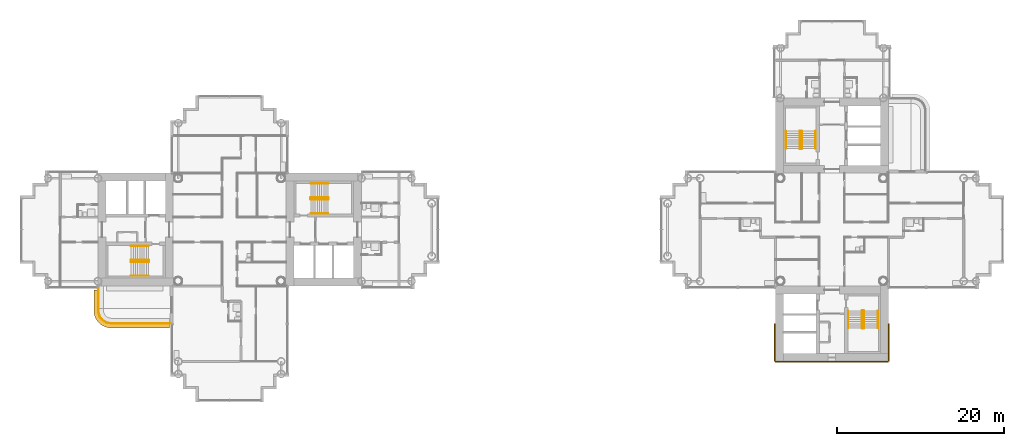
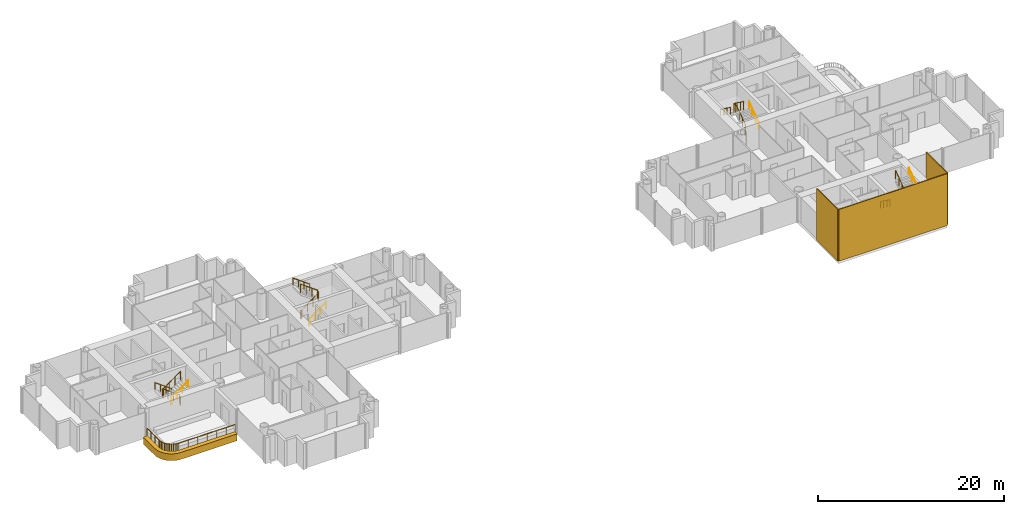
# One storey, part 19 of 21: 13 railings, 4 coverings.
"""IFC4 building model written with IfcOpenShell, lengths in metres."""

from ifc_helpers import new_model, si_unit, direction, frame, origin, origin_2d, place, context, subcontext, project, spatial, polyline, rectangle, circle, outline, extrude, material, layer, layer_set, type_object, element, save


model = new_model("IFC4")

# Units and contexts
model_context = context("Model", 3, precision=1e-05, world=origin(), true_north=direction((0.0, 1.0)))
body_context = subcontext(model_context, "Body", "Model", "MODEL_VIEW")
ifc_project = project(units=[si_unit("LENGTHUNIT", "METRE"), si_unit("AREAUNIT", "SQUARE_METRE"), si_unit("VOLUMEUNIT", "CUBIC_METRE"), si_unit("PLANEANGLEUNIT", "RADIAN"), si_unit("MASSUNIT", "GRAM", prefix="KILO")], contexts=[model_context])

# Site, building, storey
site_placement = place(None, origin())
site = spatial("IfcSite", under=ifc_project, at=site_placement, CompositionType="ELEMENT")
building_placement = place(site_placement, origin())
building = spatial("IfcBuilding", under=site, at=building_placement, Name="Ipe Terrace Towers", CompositionType="ELEMENT")
storey_placement = place(building_placement, frame((0.0, 0.0, 97.0)))
storey = spatial("IfcBuildingStorey", under=building, at=storey_placement, Name="L26", CompositionType="ELEMENT", Elevation=97.0)

# Railing
ifc_material_1 = material(Name="Stainless steel S316", Category="steel")
railing_type_1 = type_object("IfcRailingType", Name="GUARD 1100", PredefinedType="BALUSTRADE", material=ifc_material_1)
railing_1_placement = place(storey_placement, frame((-51.699951171875, -7.070068359375, -0.02001953125)))
element("IfcRailing", 1, at=railing_1_placement, inside=storey, type_object=railing_type_1, Name="guard", PredefinedType="BALUSTRADE", context=body_context, shape_type="SweptSolid", body=[
    extrude(circle(Radius=0.02392578125, at=origin_2d()), frame((0.0, 0.0, 1.076171875), z_axis=(0.0, -1.0, 0.0), x_axis=(1.0, 0.0, 0.0)), (0.0, 0.0, 1.0), 2.577880859375),
    extrude(circle(Radius=0.02392578125, at=origin_2d()), frame((0.0, -2.577880859375, 1.076171875), z_axis=(0.063270109204, -0.997996439513, 0.0), x_axis=(0.997996439513, 0.063270109204, 0.0)), (0.0, 0.0, 1.0), 0.20458984375),
    extrude(circle(Radius=0.02392578125, at=origin_2d()), frame((0.012939453125, -2.781982421875, 1.076171875), z_axis=(0.197272615832, -0.980348670139, 0.0), x_axis=(0.980348670139, 0.197272615832, 0.0)), (0.0, 0.0, 1.0), 0.202880859375),
    extrude(circle(Radius=0.02392578125, at=origin_2d()), frame((0.052978515625, -2.98095703125, 1.076171875), z_axis=(0.320562904618, -0.947227229435, 0.0), x_axis=(0.947227229435, 0.320562904618, 0.0)), (0.0, 0.0, 1.0), 0.20263671875),
    extrude(circle(Radius=0.02392578125, at=origin_2d()), frame((0.117919921875, -3.1728515625, 1.076171875), z_axis=(0.443364567466, -0.896341374877, 0.0), x_axis=(0.896341374877, 0.443364567466, 0.0)), (0.0, 0.0, 1.0), 0.203125),
    extrude(circle(Radius=0.02392578125, at=origin_2d()), frame((0.2080078125, -3.35498046875, 1.076171875), z_axis=(0.552753344103, -0.833344910936, 0.0), x_axis=(0.833344910936, 0.552753344103, 0.0)), (0.0, 0.0, 1.0), 0.20263671875),
    extrude(circle(Radius=0.02392578125, at=origin_2d()), frame((0.320068359375, -3.52392578125, 1.076171875), z_axis=(0.660464863827, -0.750856952854, 0.0), x_axis=(0.750856952854, 0.660464863827, 0.0)), (0.0, 0.0, 1.0), 0.20263671875),
    extrude(circle(Radius=0.02392578125, at=origin_2d()), frame((0.453857421875, -3.676025390625, 1.076171875), z_axis=(0.750856952854, -0.660464863827, 0.0), x_axis=(0.660464863827, 0.750856952854, 0.0)), (0.0, 0.0, 1.0), 0.20263671875),
    extrude(circle(Radius=0.02392578125, at=origin_2d()), frame((0.60595703125, -3.809814453125, 1.076171875), z_axis=(0.833344910936, -0.552753344103, 0.0), x_axis=(0.552753344103, 0.833344910936, 0.0)), (0.0, 0.0, 1.0), 0.20263671875),
    extrude(circle(Radius=0.02392578125, at=origin_2d()), frame((0.77490234375, -3.921875, 1.076171875), z_axis=(0.896341374877, -0.443364567466, 0.0), x_axis=(0.443364567466, 0.896341374877, 0.0)), (0.0, 0.0, 1.0), 0.203125),
    extrude(circle(Radius=0.02392578125, at=origin_2d()), frame((0.95703125, -4.011962890625, 1.076171875), z_axis=(0.947227229435, -0.320562904618, 0.0), x_axis=(0.320562904618, 0.947227229435, 0.0)), (0.0, 0.0, 1.0), 0.20263671875),
    extrude(circle(Radius=0.02392578125, at=origin_2d()), frame((1.14892578125, -4.076904296875, 1.076171875), z_axis=(0.980348670139, -0.197272615832, 0.0), x_axis=(0.197272615832, 0.980348670139, 0.0)), (0.0, 0.0, 1.0), 0.202880859375),
    extrude(circle(Radius=0.02392578125, at=origin_2d()), frame((1.347900390625, -4.116943359375, 1.076171875), z_axis=(0.997996439513, -0.063270109204, 0.0), x_axis=(0.063270109204, 0.997996439513, 0.0)), (0.0, 0.0, 1.0), 0.20458984375),
    extrude(circle(Radius=0.02392578125, at=origin_2d()), frame((1.552001953125, -4.1298828125, 1.076171875), z_axis=(1.0, 0.0, 0.0), x_axis=(0.0, 1.0, 0.0)), (0.0, 0.0, 1.0), 7.077880859375),
    extrude(circle(Radius=0.02099609375, at=origin_2d()), origin(), (0.0, 0.0, 1.0), 1.052001953125),
    extrude(circle(Radius=0.02099609375, at=origin_2d()), frame((0.0, -0.859375, 0.0)), (0.0, 0.0, 1.0), 1.052001953125),
    extrude(circle(Radius=0.02099609375, at=origin_2d()), frame((0.0, -1.718505859375, 0.0)), (0.0, 0.0, 1.0), 1.052001953125),
    extrude(circle(Radius=0.02099609375, at=origin_2d()), frame((0.0, -2.577880859375, 0.0)), (0.0, 0.0, 1.0), 1.052001953125),
    extrude(circle(Radius=0.02099609375, at=origin_2d()), frame((0.012939453125, -2.781982421875, 0.0)), (0.0, 0.0, 1.0), 1.052001953125),
    extrude(circle(Radius=0.02099609375, at=origin_2d()), frame((0.052978515625, -2.98095703125, 0.0)), (0.0, 0.0, 1.0), 1.052001953125),
    extrude(circle(Radius=0.02099609375, at=origin_2d()), frame((0.117919921875, -3.1728515625, 0.0)), (0.0, 0.0, 1.0), 1.052001953125),
    extrude(circle(Radius=0.02099609375, at=origin_2d()), frame((0.2080078125, -3.35498046875, 0.0)), (0.0, 0.0, 1.0), 1.052001953125),
    extrude(circle(Radius=0.02099609375, at=origin_2d()), frame((0.320068359375, -3.52392578125, 0.0)), (0.0, 0.0, 1.0), 1.052001953125),
    extrude(circle(Radius=0.02099609375, at=origin_2d()), frame((0.453857421875, -3.676025390625, 0.0)), (0.0, 0.0, 1.0), 1.052001953125),
    extrude(circle(Radius=0.02099609375, at=origin_2d()), frame((0.60595703125, -3.809814453125, 0.0)), (0.0, 0.0, 1.0), 1.052001953125),
    extrude(circle(Radius=0.02099609375, at=origin_2d()), frame((0.77490234375, -3.921875, 0.0)), (0.0, 0.0, 1.0), 1.052001953125),
    extrude(circle(Radius=0.02099609375, at=origin_2d()), frame((0.95703125, -4.011962890625, 0.0)), (0.0, 0.0, 1.0), 1.052001953125),
    extrude(circle(Radius=0.02099609375, at=origin_2d()), frame((1.14892578125, -4.076904296875, 0.0)), (0.0, 0.0, 1.0), 1.052001953125),
    extrude(circle(Radius=0.02099609375, at=origin_2d()), frame((1.347900390625, -4.116943359375, 0.0)), (0.0, 0.0, 1.0), 1.052001953125),
    extrude(circle(Radius=0.02099609375, at=origin_2d()), frame((1.552001953125, -4.1298828125, 0.0)), (0.0, 0.0, 1.0), 1.052001953125),
    extrude(circle(Radius=0.02099609375, at=origin_2d()), frame((2.731689453125, -4.1298828125, 0.0)), (0.0, 0.0, 1.0), 1.052001953125),
    extrude(circle(Radius=0.02099609375, at=origin_2d()), frame((3.911376953125, -4.1298828125, 0.0)), (0.0, 0.0, 1.0), 1.052001953125),
    extrude(circle(Radius=0.02099609375, at=origin_2d()), frame((5.0908203125, -4.1298828125, 0.0)), (0.0, 0.0, 1.0), 1.052001953125),
    extrude(circle(Radius=0.02099609375, at=origin_2d()), frame((6.2705078125, -4.1298828125, 0.0)), (0.0, 0.0, 1.0), 1.052001953125),
    extrude(circle(Radius=0.02099609375, at=origin_2d()), frame((7.4501953125, -4.1298828125, 0.0)), (0.0, 0.0, 1.0), 1.052001953125),
    extrude(circle(Radius=0.02099609375, at=origin_2d()), frame((8.6298828125, -4.1298828125, 0.0)), (0.0, 0.0, 1.0), 1.052001953125),
])

# Coverings
ifc_material_2 = material(Name="Concrete C50/60 precast, buff finish", Category="concrete")
ifc_layer_1 = layer(ifc_material_2, 0.1201171875)
ifc_layer_set_1 = layer_set([ifc_layer_1], Name="STONE CORE CLADDING 120")
covering_type_1 = type_object("IfcCoveringType", Name="STONE CORE CLADDING 120", PredefinedType="CLADDING", material=ifc_layer_set_1)
covering_1_placement = place(storey_placement, frame((36.0, -15.81005859375, 0.0), z_axis=(0.0, 0.0, 1.0), x_axis=(1.0, 0.0, 0.0)))
element("IfcCovering", 2, at=covering_1_placement, inside=storey, type_object=covering_type_1, Name="stone core cladding", PredefinedType="CLADDING", context=body_context, shape_type="SweptSolid", body=[
    extrude(rectangle(XDim=13.5, YDim=0.1201171875, at=origin_2d()), origin(), (0.0, 0.0, 1.0), 6.800048828125),
])
for number, where, z_axis, x_axis, name in (
    (3, (29.18994140625, -13.5, 0.0), (0.0, 0.0, 1.0), (0.0, -1.0, 0.0), "stone core cladding"),
    (4, (42.81005859375, -13.5, 0.0), (0.0, 0.0, 1.0), (0.0, 1.0, 0.0), "stone core cladding"),
):
    element("IfcCovering", number, at=place(storey_placement, frame(where, z_axis=z_axis, x_axis=x_axis)), inside=storey, type_object=covering_type_1, Name=name, PredefinedType="CLADDING", context=body_context, shape_type="SweptSolid", body=[
        extrude(rectangle(XDim=4.5, YDim=0.1201171875, at=origin_2d()), origin(), (0.0, 0.0, 1.0), 6.800048828125),
    ])
ifc_material_3 = material(Name="Concrete C50/60 precast, buff finish", Category="concrete")
ifc_layer_2 = layer(ifc_material_3, 0.5)
ifc_layer_set_2 = layer_set([ifc_layer_2], Name="STONE EDGE BAND 500 x 900")
covering_type_2 = type_object("IfcCoveringType", Name="STONE EDGE BAND 500 x 900", PredefinedType="CLADDING", material=ifc_layer_set_2)
covering_2_placement = place(storey_placement, frame((0.0, 0.0, -0.719970703125)))
element("IfcCovering", 5, at=covering_2_placement, inside=storey, type_object=covering_type_2, Name="stone edge band", PredefinedType="CLADDING", context=body_context, shape_type="SweptSolid", body=[
    extrude(outline(polyline([(-50.14990234375, -11.75), (-43.199951171875, -11.75), (-43.199951171875, -11.25), (-50.14990234375, -11.25), (-50.35888671875, -11.236083984375), (-50.56396484375, -11.195068359375), (-50.761962890625, -11.1279296875), (-50.949951171875, -11.035888671875), (-51.1240234375, -10.9189453125), (-51.281005859375, -10.781005859375), (-51.4189453125, -10.6240234375), (-51.535888671875, -10.449951171875), (-51.6279296875, -10.261962890625), (-51.695068359375, -10.06396484375), (-51.736083984375, -9.85888671875), (-51.75, -9.64990234375), (-51.75, -7.199951171875), (-52.25, -7.199951171875), (-52.25, -9.64990234375), (-52.2490234375, -9.68310546875), (-52.235107421875, -9.89208984375), (-52.22705078125, -9.9560546875), (-52.18603515625, -10.162109375), (-52.1689453125, -10.22509765625), (-52.10205078125, -10.423095703125), (-52.076904296875, -10.48291015625), (-51.98388671875, -10.6708984375), (-51.950927734375, -10.72802734375), (-51.8349609375, -10.902099609375), (-51.794921875, -10.9541015625), (-51.656982421875, -11.111083984375), (-51.611083984375, -11.156982421875), (-51.4541015625, -11.294921875), (-51.402099609375, -11.3349609375), (-51.22802734375, -11.450927734375), (-51.1708984375, -11.48388671875), (-50.98291015625, -11.576904296875), (-50.923095703125, -11.60205078125), (-50.72509765625, -11.6689453125), (-50.662109375, -11.68603515625), (-50.4560546875, -11.72705078125), (-50.39208984375, -11.735107421875), (-50.18310546875, -11.7490234375), (-50.14990234375, -11.75)])), origin(), (0.0, 0.0, 1.0), 0.89990234375),
])

# Railings
ifc_material_4 = material(Name="Steel S355", Category="steel")
railing_type_2 = type_object("IfcRailingType", Name="Stair guard 1100", PredefinedType="GUARDRAIL", material=ifc_material_4)
railing_2_placement = place(storey_placement, frame((-26.35009765625, 3.800048828125, 0.0)))
element("IfcRailing", 6, at=railing_2_placement, inside=storey, type_object=railing_type_2, Name="L26 T1-ST1 stair guard 1", PredefinedType="GUARDRAIL", context=body_context, shape_type="SweptSolid", body=[
    extrude(circle(Radius=0.02392578125, at=origin_2d()), frame((0.0, 0.0, 1.076171875), z_axis=(0.0, -1.0, 0.0), x_axis=(1.0, 0.0, 0.0)), (0.0, 0.0, 1.0), 0.150146484375),
    extrude(circle(Radius=0.02392578125, at=origin_2d()), frame((0.0, -0.150146484375, 1.076171875), z_axis=(0.248103849378, -0.246893586699, 0.936743314239), x_axis=(0.705375805398, 0.708833529934, 0.0)), (0.0, 0.0, 1.0), 0.20166015625),
    extrude(circle(Radius=0.02392578125, at=origin_2d()), frame((0.050048828125, -0.199951171875, 1.26513671875), z_axis=(0.809068575486, 0.0, 0.587714250432), x_axis=(0.0, 1.0, 0.0)), (0.0, 0.0, 1.0), 2.571044921875),
    extrude(circle(Radius=0.02392578125, at=origin_2d()), frame((2.130126953125, -0.199951171875, 2.77587890625), z_axis=(0.708833529934, 0.705375805398, 0.0), x_axis=(-0.705375805398, 0.708833529934, 0.0)), (0.0, 0.0, 1.0), 0.070556640625),
    extrude(circle(Radius=0.02392578125, at=origin_2d()), frame((2.18017578125, -0.150146484375, 2.77587890625), z_axis=(0.0, 1.0, 0.0), x_axis=(-1.0, 0.0, 0.0)), (0.0, 0.0, 1.0), 0.150146484375),
    extrude(circle(Radius=0.02392578125, at=origin_2d()), frame((2.18017578125, 0.0, 2.77587890625), z_axis=(-0.248029566107, 0.248029566107, 0.936462849596), x_axis=(-0.707106781187, -0.707106781187, 0.0)), (0.0, 0.0, 1.0), 0.201904296875),
    extrude(circle(Radius=0.02392578125, at=origin_2d()), frame((2.130126953125, 0.050048828125, 2.96484375), z_axis=(-0.809068575486, 0.0, 0.587714250432), x_axis=(0.0, -1.0, 0.0)), (0.0, 0.0, 1.0), 2.571044921875),
    extrude(circle(Radius=0.02099609375, at=origin_2d()), origin(), (0.0, 0.0, 1.0), 1.052001953125),
    extrude(circle(Radius=0.02099609375, at=origin_2d()), frame((0.0, -0.150146484375, 0.0)), (0.0, 0.0, 1.0), 1.052001953125),
    extrude(circle(Radius=0.02099609375, at=origin_2d()), frame((0.050048828125, -0.199951171875, 0.18896484375)), (0.0, 0.0, 1.0), 1.052001953125),
    extrude(circle(Radius=0.02099609375, at=origin_2d()), frame((0.743408203125, -0.199951171875, 0.692626953125)), (0.0, 0.0, 1.0), 1.052001953125),
    extrude(circle(Radius=0.02099609375, at=origin_2d()), frame((1.436767578125, -0.199951171875, 1.1962890625)), (0.0, 0.0, 1.0), 1.052001953125),
    extrude(circle(Radius=0.02099609375, at=origin_2d()), frame((2.130126953125, -0.199951171875, 1.699951171875)), (0.0, 0.0, 1.0), 1.052001953125),
    extrude(circle(Radius=0.02099609375, at=origin_2d()), frame((2.18017578125, -0.150146484375, 1.699951171875)), (0.0, 0.0, 1.0), 1.052001953125),
    extrude(circle(Radius=0.02099609375, at=origin_2d()), frame((2.18017578125, 0.0, 1.699951171875)), (0.0, 0.0, 1.0), 1.052001953125),
    extrude(circle(Radius=0.02099609375, at=origin_2d()), frame((2.130126953125, 0.050048828125, 1.888916015625)), (0.0, 0.0, 1.0), 1.052001953125),
    extrude(circle(Radius=0.02099609375, at=origin_2d()), frame((1.436767578125, 0.050048828125, 2.392578125)), (0.0, 0.0, 1.0), 1.052001953125),
    extrude(circle(Radius=0.02099609375, at=origin_2d()), frame((0.743408203125, 0.050048828125, 2.896240234375)), (0.0, 0.0, 1.0), 1.052001953125),
    extrude(circle(Radius=0.02099609375, at=origin_2d()), frame((0.050048828125, 0.050048828125, 3.39990234375)), (0.0, 0.0, 1.0), 1.052001953125),
])
railing_3_placement = place(storey_placement, frame((-45.64990234375, -3.800048828125, 0.0)))
element("IfcRailing", 7, at=railing_3_placement, inside=storey, type_object=railing_type_2, Name="L26 T1-ST2 stair guard 1", PredefinedType="GUARDRAIL", context=body_context, shape_type="SweptSolid", body=[
    extrude(circle(Radius=0.02392578125, at=origin_2d()), frame((0.0, 0.0, 1.076171875), z_axis=(0.0, 1.0, 0.0), x_axis=(-1.0, 0.0, 0.0)), (0.0, 0.0, 1.0), 0.150146484375),
    extrude(circle(Radius=0.02392578125, at=origin_2d()), frame((0.0, 0.150146484375, 1.076171875), z_axis=(-0.248103849378, 0.246893586699, 0.936743314239), x_axis=(-0.705375805398, -0.708833529934, 0.0)), (0.0, 0.0, 1.0), 0.20166015625),
    extrude(circle(Radius=0.02392578125, at=origin_2d()), frame((-0.050048828125, 0.199951171875, 1.26513671875), z_axis=(-0.809068575486, 0.0, 0.587714250432), x_axis=(0.0, -1.0, 0.0)), (0.0, 0.0, 1.0), 2.571044921875),
    extrude(circle(Radius=0.02392578125, at=origin_2d()), frame((-2.130126953125, 0.199951171875, 2.77587890625), z_axis=(-0.708833529934, -0.705375805398, 0.0), x_axis=(0.705375805398, -0.708833529934, 0.0)), (0.0, 0.0, 1.0), 0.070556640625),
    extrude(circle(Radius=0.02392578125, at=origin_2d()), frame((-2.18017578125, 0.150146484375, 2.77587890625), z_axis=(0.0, -1.0, 0.0), x_axis=(1.0, 0.0, 0.0)), (0.0, 0.0, 1.0), 0.150146484375),
    extrude(circle(Radius=0.02392578125, at=origin_2d()), frame((-2.18017578125, 0.0, 2.77587890625), z_axis=(0.248029566107, -0.248029566107, 0.936462849596), x_axis=(0.707106781187, 0.707106781187, 0.0)), (0.0, 0.0, 1.0), 0.201904296875),
    extrude(circle(Radius=0.02392578125, at=origin_2d()), frame((-2.130126953125, -0.050048828125, 2.96484375), z_axis=(0.809068575486, 0.0, 0.587714250432), x_axis=(0.0, 1.0, 0.0)), (0.0, 0.0, 1.0), 2.571044921875),
    extrude(circle(Radius=0.02099609375, at=origin_2d()), origin(), (0.0, 0.0, 1.0), 1.052001953125),
    extrude(circle(Radius=0.02099609375, at=origin_2d()), frame((0.0, 0.150146484375, 0.0)), (0.0, 0.0, 1.0), 1.052001953125),
    extrude(circle(Radius=0.02099609375, at=origin_2d()), frame((-0.050048828125, 0.199951171875, 0.18896484375)), (0.0, 0.0, 1.0), 1.052001953125),
    extrude(circle(Radius=0.02099609375, at=origin_2d()), frame((-0.743408203125, 0.199951171875, 0.692626953125)), (0.0, 0.0, 1.0), 1.052001953125),
    extrude(circle(Radius=0.02099609375, at=origin_2d()), frame((-1.436767578125, 0.199951171875, 1.1962890625)), (0.0, 0.0, 1.0), 1.052001953125),
    extrude(circle(Radius=0.02099609375, at=origin_2d()), frame((-2.130126953125, 0.199951171875, 1.699951171875)), (0.0, 0.0, 1.0), 1.052001953125),
    extrude(circle(Radius=0.02099609375, at=origin_2d()), frame((-2.18017578125, 0.150146484375, 1.699951171875)), (0.0, 0.0, 1.0), 1.052001953125),
    extrude(circle(Radius=0.02099609375, at=origin_2d()), frame((-2.18017578125, 0.0, 1.699951171875)), (0.0, 0.0, 1.0), 1.052001953125),
    extrude(circle(Radius=0.02099609375, at=origin_2d()), frame((-2.130126953125, -0.050048828125, 1.888916015625)), (0.0, 0.0, 1.0), 1.052001953125),
    extrude(circle(Radius=0.02099609375, at=origin_2d()), frame((-1.436767578125, -0.050048828125, 2.392578125)), (0.0, 0.0, 1.0), 1.052001953125),
    extrude(circle(Radius=0.02099609375, at=origin_2d()), frame((-0.743408203125, -0.050048828125, 2.896240234375)), (0.0, 0.0, 1.0), 1.052001953125),
    extrude(circle(Radius=0.02099609375, at=origin_2d()), frame((-0.050048828125, -0.050048828125, 3.39990234375)), (0.0, 0.0, 1.0), 1.052001953125),
])
railing_4_placement = place(storey_placement, frame((32.199951171875, 9.64990234375, 0.0)))
element("IfcRailing", 8, at=railing_4_placement, inside=storey, type_object=railing_type_2, Name="L26 T2-ST1 stair guard 1", PredefinedType="GUARDRAIL", context=body_context, shape_type="SweptSolid", body=[
    extrude(circle(Radius=0.02392578125, at=origin_2d()), frame((0.0, 0.0, 1.076171875), z_axis=(1.0, 0.0, 0.0), x_axis=(0.0, 1.0, 0.0)), (0.0, 0.0, 1.0), 0.150146484375),
    extrude(circle(Radius=0.02392578125, at=origin_2d()), frame((0.150146484375, 0.0, 1.076171875), z_axis=(0.246893586699, 0.248103849378, 0.936743314239), x_axis=(-0.708833529934, 0.705375805398, 0.0)), (0.0, 0.0, 1.0), 0.20166015625),
    extrude(circle(Radius=0.02392578125, at=origin_2d()), frame((0.199951171875, 0.050048828125, 1.26513671875), z_axis=(0.0, 0.809068575486, 0.587714250432), x_axis=(-1.0, 0.0, 0.0)), (0.0, 0.0, 1.0), 2.571044921875),
    extrude(circle(Radius=0.02392578125, at=origin_2d()), frame((0.199951171875, 2.130126953125, 2.77587890625), z_axis=(-0.705375805398, 0.708833529934, 0.0), x_axis=(-0.708833529934, -0.705375805398, 0.0)), (0.0, 0.0, 1.0), 0.070556640625),
    extrude(circle(Radius=0.02392578125, at=origin_2d()), frame((0.150146484375, 2.18017578125, 2.77587890625), z_axis=(-1.0, 0.0, 0.0), x_axis=(0.0, -1.0, 0.0)), (0.0, 0.0, 1.0), 0.150146484375),
    extrude(circle(Radius=0.02392578125, at=origin_2d()), frame((0.0, 2.18017578125, 2.77587890625), z_axis=(-0.248029566107, -0.248029566107, 0.936462849596), x_axis=(0.707106781187, -0.707106781187, 0.0)), (0.0, 0.0, 1.0), 0.201904296875),
    extrude(circle(Radius=0.02392578125, at=origin_2d()), frame((-0.050048828125, 2.130126953125, 2.96484375), z_axis=(0.0, -0.809068575486, 0.587714250432), x_axis=(1.0, 0.0, 0.0)), (0.0, 0.0, 1.0), 2.571044921875),
    extrude(circle(Radius=0.02099609375, at=origin_2d()), origin(), (0.0, 0.0, 1.0), 1.052001953125),
    extrude(circle(Radius=0.02099609375, at=origin_2d()), frame((0.150146484375, 0.0, 0.0)), (0.0, 0.0, 1.0), 1.052001953125),
    extrude(circle(Radius=0.02099609375, at=origin_2d()), frame((0.199951171875, 0.050048828125, 0.18896484375)), (0.0, 0.0, 1.0), 1.052001953125),
    extrude(circle(Radius=0.02099609375, at=origin_2d()), frame((0.199951171875, 0.743408203125, 0.692626953125)), (0.0, 0.0, 1.0), 1.052001953125),
    extrude(circle(Radius=0.02099609375, at=origin_2d()), frame((0.199951171875, 1.436767578125, 1.1962890625)), (0.0, 0.0, 1.0), 1.052001953125),
    extrude(circle(Radius=0.02099609375, at=origin_2d()), frame((0.199951171875, 2.130126953125, 1.699951171875)), (0.0, 0.0, 1.0), 1.052001953125),
    extrude(circle(Radius=0.02099609375, at=origin_2d()), frame((0.150146484375, 2.18017578125, 1.699951171875)), (0.0, 0.0, 1.0), 1.052001953125),
    extrude(circle(Radius=0.02099609375, at=origin_2d()), frame((0.0, 2.18017578125, 1.699951171875)), (0.0, 0.0, 1.0), 1.052001953125),
    extrude(circle(Radius=0.02099609375, at=origin_2d()), frame((-0.050048828125, 2.130126953125, 1.888916015625)), (0.0, 0.0, 1.0), 1.052001953125),
    extrude(circle(Radius=0.02099609375, at=origin_2d()), frame((-0.050048828125, 1.436767578125, 2.392578125)), (0.0, 0.0, 1.0), 1.052001953125),
    extrude(circle(Radius=0.02099609375, at=origin_2d()), frame((-0.050048828125, 0.743408203125, 2.896240234375)), (0.0, 0.0, 1.0), 1.052001953125),
    extrude(circle(Radius=0.02099609375, at=origin_2d()), frame((-0.050048828125, 0.050048828125, 3.39990234375)), (0.0, 0.0, 1.0), 1.052001953125),
])
railing_5_placement = place(storey_placement, frame((39.800048828125, -9.64990234375, 0.0)))
element("IfcRailing", 9, at=railing_5_placement, inside=storey, type_object=railing_type_2, Name="L26 T2-ST2 stair guard 1", PredefinedType="GUARDRAIL", context=body_context, shape_type="SweptSolid", body=[
    extrude(circle(Radius=0.02392578125, at=origin_2d()), frame((0.0, 0.0, 1.076171875), z_axis=(-1.0, 0.0, 0.0), x_axis=(0.0, -1.0, 0.0)), (0.0, 0.0, 1.0), 0.150146484375),
    extrude(circle(Radius=0.02392578125, at=origin_2d()), frame((-0.150146484375, 0.0, 1.076171875), z_axis=(-0.246893586699, -0.248103849378, 0.936743314239), x_axis=(0.708833529934, -0.705375805398, 0.0)), (0.0, 0.0, 1.0), 0.20166015625),
    extrude(circle(Radius=0.02392578125, at=origin_2d()), frame((-0.199951171875, -0.050048828125, 1.26513671875), z_axis=(0.0, -0.809068575486, 0.587714250432), x_axis=(1.0, 0.0, 0.0)), (0.0, 0.0, 1.0), 2.571044921875),
    extrude(circle(Radius=0.02392578125, at=origin_2d()), frame((-0.199951171875, -2.130126953125, 2.77587890625), z_axis=(0.705375805398, -0.708833529934, 0.0), x_axis=(0.708833529934, 0.705375805398, 0.0)), (0.0, 0.0, 1.0), 0.070556640625),
    extrude(circle(Radius=0.02392578125, at=origin_2d()), frame((-0.150146484375, -2.18017578125, 2.77587890625), z_axis=(1.0, 0.0, 0.0), x_axis=(0.0, 1.0, 0.0)), (0.0, 0.0, 1.0), 0.150146484375),
    extrude(circle(Radius=0.02392578125, at=origin_2d()), frame((0.0, -2.18017578125, 2.77587890625), z_axis=(0.248029566107, 0.248029566107, 0.936462849596), x_axis=(-0.707106781187, 0.707106781187, 0.0)), (0.0, 0.0, 1.0), 0.201904296875),
    extrude(circle(Radius=0.02392578125, at=origin_2d()), frame((0.050048828125, -2.130126953125, 2.96484375), z_axis=(0.0, 0.809068575486, 0.587714250432), x_axis=(-1.0, 0.0, 0.0)), (0.0, 0.0, 1.0), 2.571044921875),
    extrude(circle(Radius=0.02099609375, at=origin_2d()), origin(), (0.0, 0.0, 1.0), 1.052001953125),
    extrude(circle(Radius=0.02099609375, at=origin_2d()), frame((-0.150146484375, 0.0, 0.0)), (0.0, 0.0, 1.0), 1.052001953125),
    extrude(circle(Radius=0.02099609375, at=origin_2d()), frame((-0.199951171875, -0.050048828125, 0.18896484375)), (0.0, 0.0, 1.0), 1.052001953125),
    extrude(circle(Radius=0.02099609375, at=origin_2d()), frame((-0.199951171875, -0.743408203125, 0.692626953125)), (0.0, 0.0, 1.0), 1.052001953125),
    extrude(circle(Radius=0.02099609375, at=origin_2d()), frame((-0.199951171875, -1.436767578125, 1.1962890625)), (0.0, 0.0, 1.0), 1.052001953125),
    extrude(circle(Radius=0.02099609375, at=origin_2d()), frame((-0.199951171875, -2.130126953125, 1.699951171875)), (0.0, 0.0, 1.0), 1.052001953125),
    extrude(circle(Radius=0.02099609375, at=origin_2d()), frame((-0.150146484375, -2.18017578125, 1.699951171875)), (0.0, 0.0, 1.0), 1.052001953125),
    extrude(circle(Radius=0.02099609375, at=origin_2d()), frame((0.0, -2.18017578125, 1.699951171875)), (0.0, 0.0, 1.0), 1.052001953125),
    extrude(circle(Radius=0.02099609375, at=origin_2d()), frame((0.050048828125, -2.130126953125, 1.888916015625)), (0.0, 0.0, 1.0), 1.052001953125),
    extrude(circle(Radius=0.02099609375, at=origin_2d()), frame((0.050048828125, -1.436767578125, 2.392578125)), (0.0, 0.0, 1.0), 1.052001953125),
    extrude(circle(Radius=0.02099609375, at=origin_2d()), frame((0.050048828125, -0.743408203125, 2.896240234375)), (0.0, 0.0, 1.0), 1.052001953125),
    extrude(circle(Radius=0.02099609375, at=origin_2d()), frame((0.050048828125, -0.050048828125, 3.39990234375)), (0.0, 0.0, 1.0), 1.052001953125),
])
ifc_material_5 = material(Name="Stainless steel grade 304", Category="steel")
railing_type_3 = type_object("IfcRailingType", Name="Stair handrail 900", PredefinedType="HANDRAIL", material=ifc_material_5)
railing_6_placement = place(storey_placement, frame((-26.300048828125, 1.949951171875, 0.18896484375)))
element("IfcRailing", 10, at=railing_6_placement, inside=storey, type_object=railing_type_3, Name="L26 T1-ST1 stair handrail 1", PredefinedType="HANDRAIL", context=body_context, shape_type="SweptSolid", body=[
    extrude(circle(Radius=0.02392578125, at=origin_2d()), frame((0.0, 0.0, 0.8759765625), z_axis=(0.809068575486, 0.0, 0.587714250432), x_axis=(0.0, 1.0, 0.0)), (0.0, 0.0, 1.0), 2.571044921875),
    extrude(circle(Radius=0.02099609375, at=origin_2d()), origin(), (0.0, 0.0, 1.0), 0.851806640625),
    extrude(circle(Radius=0.02099609375, at=origin_2d()), frame((0.693359375, 0.0, 0.503662109375)), (0.0, 0.0, 1.0), 0.851806640625),
    extrude(circle(Radius=0.02099609375, at=origin_2d()), frame((1.38671875, 0.0, 1.00732421875)), (0.0, 0.0, 1.0), 0.851806640625),
    extrude(circle(Radius=0.02099609375, at=origin_2d()), frame((2.080078125, 0.0, 1.510986328125)), (0.0, 0.0, 1.0), 0.851806640625),
])
for number, where, name in (
    (11, (-24.219970703125, 5.5, 1.888916015625), "L26 T1-ST1 stair handrail 2"),
    (12, (-45.699951171875, -1.949951171875, 0.18896484375), "L26 T1-ST2 stair handrail 1"),
):
    element("IfcRailing", number, at=place(storey_placement, frame(where)), inside=storey, type_object=railing_type_3, Name=name, PredefinedType="HANDRAIL", context=body_context, shape_type="SweptSolid", body=[
        extrude(circle(Radius=0.02392578125, at=origin_2d()), frame((0.0, 0.0, 0.8759765625), z_axis=(-0.809068575486, 0.0, 0.587714250432), x_axis=(0.0, -1.0, 0.0)), (0.0, 0.0, 1.0), 2.571044921875),
        extrude(circle(Radius=0.02099609375, at=origin_2d()), origin(), (0.0, 0.0, 1.0), 0.851806640625),
        extrude(circle(Radius=0.02099609375, at=origin_2d()), frame((-0.693359375, 0.0, 0.503662109375)), (0.0, 0.0, 1.0), 0.851806640625),
        extrude(circle(Radius=0.02099609375, at=origin_2d()), frame((-1.38671875, 0.0, 1.00732421875)), (0.0, 0.0, 1.0), 0.851806640625),
        extrude(circle(Radius=0.02099609375, at=origin_2d()), frame((-2.080078125, 0.0, 1.510986328125)), (0.0, 0.0, 1.0), 0.851806640625),
    ])
railing_7_placement = place(storey_placement, frame((-47.780029296875, -5.5, 1.888916015625)))
element("IfcRailing", 13, at=railing_7_placement, inside=storey, type_object=railing_type_3, Name="L26 T1-ST2 stair handrail 2", PredefinedType="HANDRAIL", context=body_context, shape_type="SweptSolid", body=[
    extrude(circle(Radius=0.02392578125, at=origin_2d()), frame((0.0, 0.0, 0.8759765625), z_axis=(0.809068575486, 0.0, 0.587714250432), x_axis=(0.0, 1.0, 0.0)), (0.0, 0.0, 1.0), 2.571044921875),
    extrude(circle(Radius=0.02099609375, at=origin_2d()), origin(), (0.0, 0.0, 1.0), 0.851806640625),
    extrude(circle(Radius=0.02099609375, at=origin_2d()), frame((0.693359375, 0.0, 0.503662109375)), (0.0, 0.0, 1.0), 0.851806640625),
    extrude(circle(Radius=0.02099609375, at=origin_2d()), frame((1.38671875, 0.0, 1.00732421875)), (0.0, 0.0, 1.0), 0.851806640625),
    extrude(circle(Radius=0.02099609375, at=origin_2d()), frame((2.080078125, 0.0, 1.510986328125)), (0.0, 0.0, 1.0), 0.851806640625),
])
railing_8_placement = place(storey_placement, frame((34.050048828125, 9.699951171875, 0.18896484375)))
element("IfcRailing", 14, at=railing_8_placement, inside=storey, type_object=railing_type_3, Name="L26 T2-ST1 stair handrail 1", PredefinedType="HANDRAIL", context=body_context, shape_type="SweptSolid", body=[
    extrude(circle(Radius=0.02392578125, at=origin_2d()), frame((0.0, 0.0, 0.8759765625), z_axis=(0.0, 0.809068575486, 0.587714250432), x_axis=(-1.0, 0.0, 0.0)), (0.0, 0.0, 1.0), 2.571044921875),
    extrude(circle(Radius=0.02099609375, at=origin_2d()), origin(), (0.0, 0.0, 1.0), 0.851806640625),
    extrude(circle(Radius=0.02099609375, at=origin_2d()), frame((0.0, 0.693359375, 0.503662109375)), (0.0, 0.0, 1.0), 0.851806640625),
    extrude(circle(Radius=0.02099609375, at=origin_2d()), frame((0.0, 1.38671875, 1.00732421875)), (0.0, 0.0, 1.0), 0.851806640625),
    extrude(circle(Radius=0.02099609375, at=origin_2d()), frame((0.0, 2.080078125, 1.510986328125)), (0.0, 0.0, 1.0), 0.851806640625),
])
for number, where, name in (
    (15, (30.5, 11.780029296875, 1.888916015625), "L26 T2-ST1 stair handrail 2"),
    (16, (37.949951171875, -9.699951171875, 0.18896484375), "L26 T2-ST2 stair handrail 1"),
):
    element("IfcRailing", number, at=place(storey_placement, frame(where)), inside=storey, type_object=railing_type_3, Name=name, PredefinedType="HANDRAIL", context=body_context, shape_type="SweptSolid", body=[
        extrude(circle(Radius=0.02392578125, at=origin_2d()), frame((0.0, 0.0, 0.8759765625), z_axis=(0.0, -0.809068575486, 0.587714250432), x_axis=(1.0, 0.0, 0.0)), (0.0, 0.0, 1.0), 2.571044921875),
        extrude(circle(Radius=0.02099609375, at=origin_2d()), origin(), (0.0, 0.0, 1.0), 0.851806640625),
        extrude(circle(Radius=0.02099609375, at=origin_2d()), frame((0.0, -0.693359375, 0.503662109375)), (0.0, 0.0, 1.0), 0.851806640625),
        extrude(circle(Radius=0.02099609375, at=origin_2d()), frame((0.0, -1.38671875, 1.00732421875)), (0.0, 0.0, 1.0), 0.851806640625),
        extrude(circle(Radius=0.02099609375, at=origin_2d()), frame((0.0, -2.080078125, 1.510986328125)), (0.0, 0.0, 1.0), 0.851806640625),
    ])
railing_9_placement = place(storey_placement, frame((41.5, -11.780029296875, 1.888916015625)))
element("IfcRailing", 17, at=railing_9_placement, inside=storey, type_object=railing_type_3, Name="L26 T2-ST2 stair handrail 2", PredefinedType="HANDRAIL", context=body_context, shape_type="SweptSolid", body=[
    extrude(circle(Radius=0.02392578125, at=origin_2d()), frame((0.0, 0.0, 0.8759765625), z_axis=(0.0, 0.809068575486, 0.587714250432), x_axis=(-1.0, 0.0, 0.0)), (0.0, 0.0, 1.0), 2.571044921875),
    extrude(circle(Radius=0.02099609375, at=origin_2d()), origin(), (0.0, 0.0, 1.0), 0.851806640625),
    extrude(circle(Radius=0.02099609375, at=origin_2d()), frame((0.0, 0.693359375, 0.503662109375)), (0.0, 0.0, 1.0), 0.851806640625),
    extrude(circle(Radius=0.02099609375, at=origin_2d()), frame((0.0, 1.38671875, 1.00732421875)), (0.0, 0.0, 1.0), 0.851806640625),
    extrude(circle(Radius=0.02099609375, at=origin_2d()), frame((0.0, 2.080078125, 1.510986328125)), (0.0, 0.0, 1.0), 0.851806640625),
])

save(model, "model.ifc")
